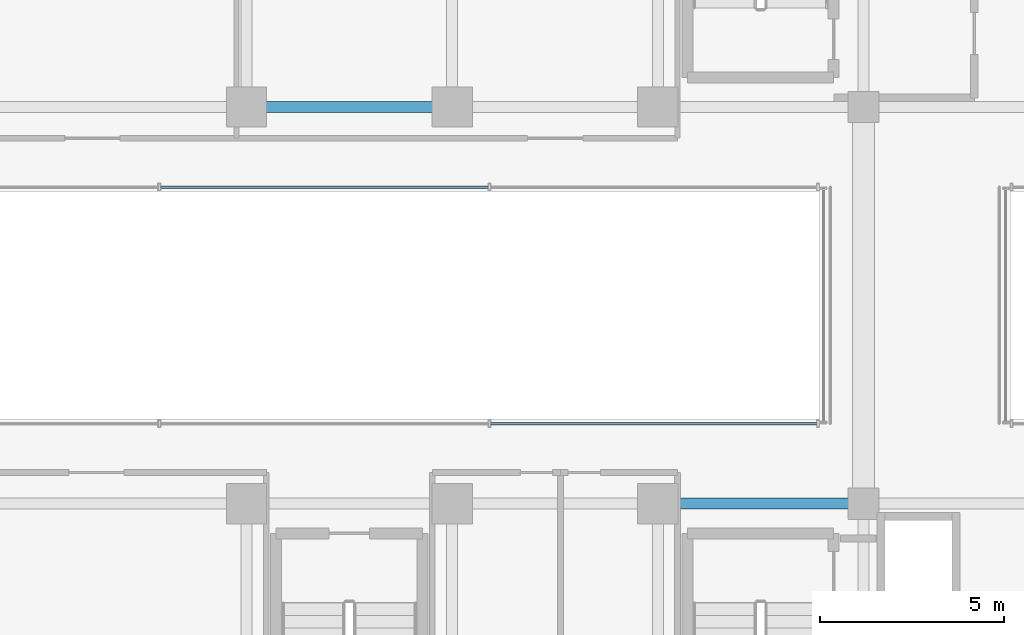
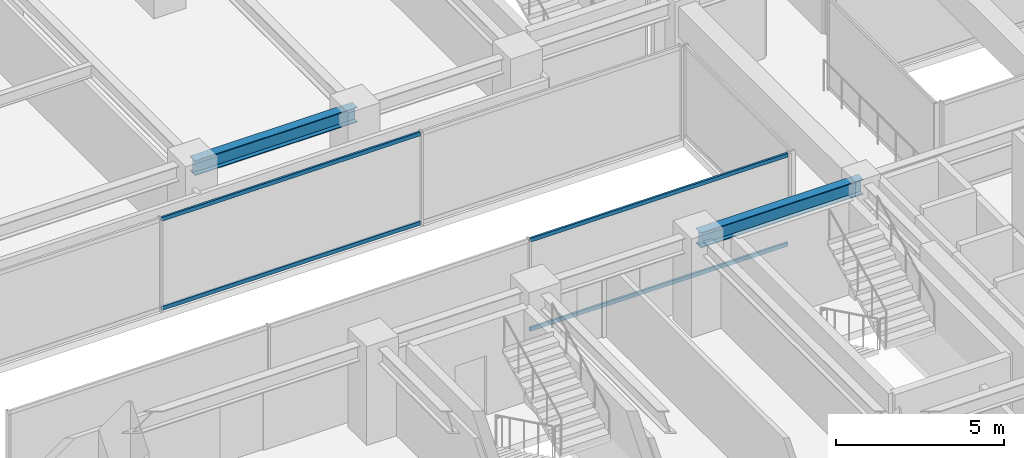
# One storey, part 10 of 36: 4 members, 2 beams, 2 elements without a shape of their own.
"""IFC4 building model written with IfcOpenShell, lengths in metres."""

from ifc_helpers import new_model, si_unit, direction, frame, origin, origin_2d, place, context, subcontext, project, spatial, hollow_rectangle, i_section, extrude, source, transform, mapped, material, material_profile, profile_set, type_object, element, aggregate, save


model = new_model("IFC4")

# Units and contexts
model_context = context("Model", 3, precision=1e-05, world=origin(), true_north=direction((0.0, 1.0)))
body_context = subcontext(model_context, "Body", "Model", "MODEL_VIEW")
ifc_project = project(units=[si_unit("LENGTHUNIT", "METRE"), si_unit("AREAUNIT", "SQUARE_METRE"), si_unit("VOLUMEUNIT", "CUBIC_METRE"), si_unit("PLANEANGLEUNIT", "RADIAN"), si_unit("MASSUNIT", "GRAM", prefix="KILO")], contexts=[model_context])

# Site, building, storey
site_placement = place(None, origin())
site = spatial("IfcSite", under=ifc_project, at=site_placement, CompositionType="ELEMENT")
building_placement = place(site_placement, origin())
building = spatial("IfcBuilding", under=site, at=building_placement, Name="Nahalor Promenade Grand Hotel", CompositionType="ELEMENT")
storey_placement = place(building_placement, frame((0.0, 0.0, 170.89990234375)))
storey = spatial("IfcBuildingStorey", under=building, at=storey_placement, Name="L43", CompositionType="ELEMENT", Elevation=170.89990234375)

# Beams
ifc_material_1 = material(Name="Steel S355JR", Category="steel")
ifc_material_profile_1 = material_profile(ifc_material_1, i_section(OverallWidth=0.3, OverallDepth=0.55, WebThickness=0.015, FlangeThickness=0.029, at=origin_2d()), Name="HEB 550")
ifc_profile_set_1 = profile_set([ifc_material_profile_1], Name="Steel S355JR")
beam_type = type_object("IfcBeamType", Name="Beam-Girder-HEB550", PredefinedType="BEAM", material=ifc_profile_set_1)
shared_shape_1 = source(origin(), body_context, "Body", "SweptSolid", [
    extrude(i_section(OverallWidth=0.3, OverallDepth=0.55, WebThickness=0.015, FlangeThickness=0.029, at=origin_2d()), origin(), (0.0, 0.0, 1.0), 5.599853515625),
])
for number, where, z_axis, x_axis, name in (
    (1, (2.800048828125, -5.39990234375, 3.114990234375), (1.0, 0.0, 0.0), (0.0, 1.0, 0.0), "BM-L43-GX-1-4"),
    (2, (-8.39990234375, 5.39990234375, 3.114990234375), (1.0, 0.0, 0.0), (0.0, 1.0, 0.0), "BM-L43-GX-2-2"),
):
    element("IfcBeam", number, at=place(storey_placement, frame(where, z_axis=z_axis, x_axis=x_axis)), inside=storey, type_object=beam_type, Name=name, PredefinedType="BEAM", context=body_context, shape_type="MappedRepresentation", body=[
        mapped(shared_shape_1, transform((0.0, 0.0, 0.0), scale=1.0)),
    ])

# Curtain wall, members
ifc_material_2 = material(Name="Anodised Bronze Aluminium EN AW-6063 T6", Category="aluminium")
curtain_wall_type = type_object("IfcCurtainWallType", Name="CW3 Elliptical-Void Collar Unitised Curtain Wall", PredefinedType="USERDEFINED", material=ifc_material_2)
curtain_wall_1_placement = place(storey_placement, origin())
curtain_wall_1 = element("IfcCurtainWall", 3, at=curtain_wall_1_placement, inside=storey, type_object=curtain_wall_type, Name="L43 Curtain Wall CW-L43-VOID-WS1", ObjectType="UNITISED_CURTAIN_WALL", PredefinedType="USERDEFINED")
ifc_material_profile_2 = material_profile(ifc_material_2, hollow_rectangle(XDim=0.07, YDim=0.14, WallThickness=0.004, at=origin_2d()), Name="CWT 70x140x4")
ifc_profile_set_2 = profile_set([ifc_material_profile_2], Name="Anodised Bronze Aluminium EN AW-6063 T6")
member_type = type_object("IfcMemberType", Name="CWT3 Void Collar Transom 70x140", PredefinedType="USERDEFINED", material=ifc_profile_set_2)
shared_shape_2 = source(origin(), body_context, "Body", "SweptSolid", [
    extrude(hollow_rectangle(XDim=0.07, YDim=0.14, WallThickness=0.004, at=origin_2d()), origin(), (0.0, 0.0, 1.0), 8.881591796875),
])
member_1_placement = place(storey_placement, frame((-1.751708984375, -3.219970703125, 0.070068359375), z_axis=(1.0, 0.0, 0.0), x_axis=(0.0, 1.0, 0.0)))
member_1 = element("IfcMember", 4, at=member_1_placement, type_object=member_type, Name="CW-L43-VOID-WS1 Transom 2-0", ObjectType="TRANSOM", PredefinedType="USERDEFINED", context=body_context, shape_type="MappedRepresentation", body=[
    mapped(shared_shape_2, transform((0.0, 0.0, 0.0), scale=1.0)),
])
member_2_placement = place(storey_placement, frame((-1.751708984375, -3.219970703125, 3.320068359375), z_axis=(1.0, 0.0, 0.0), x_axis=(0.0, 1.0, 0.0)))
member_2 = element("IfcMember", 5, at=member_2_placement, type_object=member_type, Name="CW-L43-VOID-WS1 Transom 2-1", ObjectType="TRANSOM", PredefinedType="USERDEFINED", context=body_context, shape_type="MappedRepresentation", body=[
    mapped(shared_shape_2, transform((0.0, 0.0, 0.0), scale=1.0)),
])
aggregate(curtain_wall_1, [member_1, member_2])

curtain_wall_2_placement = place(storey_placement, origin())
curtain_wall_2 = element("IfcCurtainWall", 6, at=curtain_wall_2_placement, inside=storey, type_object=curtain_wall_type, Name="L43 Curtain Wall CW-L43-VOID-WN1", ObjectType="UNITISED_CURTAIN_WALL", PredefinedType="USERDEFINED")
shared_shape_3 = source(origin(), body_context, "Body", "SweptSolid", [
    extrude(hollow_rectangle(XDim=0.07, YDim=0.14, WallThickness=0.004, at=origin_2d()), origin(), (0.0, 0.0, 1.0), 8.91650390625),
])
member_3_placement = place(storey_placement, frame((-10.73828125, 3.219970703125, 0.070068359375), z_axis=(1.0, 0.0, 0.0), x_axis=(0.0, 1.0, 0.0)))
member_3 = element("IfcMember", 7, at=member_3_placement, type_object=member_type, Name="CW-L43-VOID-WN1 Transom 1-0", ObjectType="TRANSOM", PredefinedType="USERDEFINED", context=body_context, shape_type="MappedRepresentation", body=[
    mapped(shared_shape_3, transform((0.0, 0.0, 0.0), scale=1.0)),
])
member_4_placement = place(storey_placement, frame((-10.73828125, 3.219970703125, 3.320068359375), z_axis=(1.0, 0.0, 0.0), x_axis=(0.0, 1.0, 0.0)))
member_4 = element("IfcMember", 8, at=member_4_placement, type_object=member_type, Name="CW-L43-VOID-WN1 Transom 1-1", ObjectType="TRANSOM", PredefinedType="USERDEFINED", context=body_context, shape_type="MappedRepresentation", body=[
    mapped(shared_shape_3, transform((0.0, 0.0, 0.0), scale=1.0)),
])
aggregate(curtain_wall_2, [member_3, member_4])

save(model, "model.ifc")
